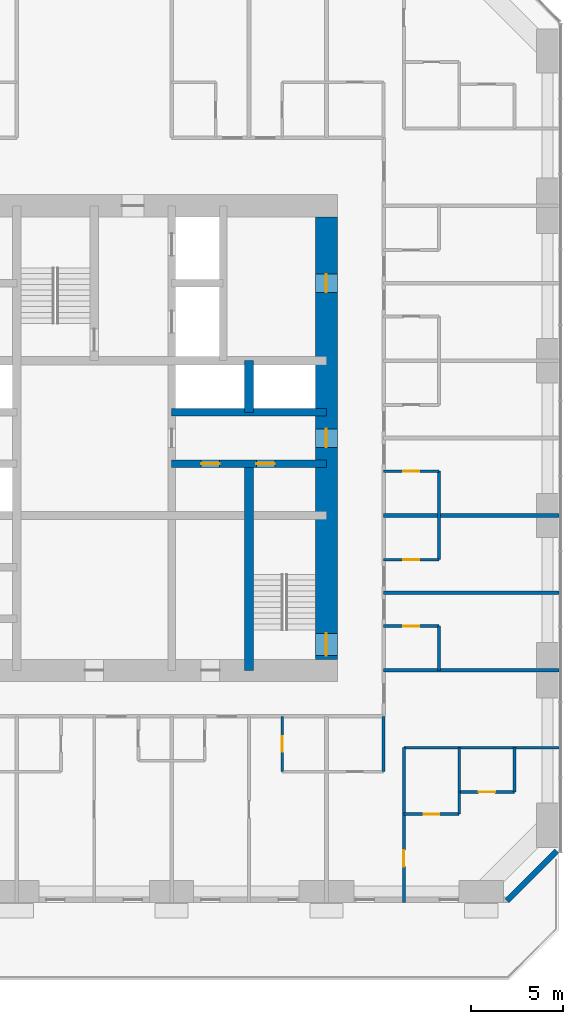
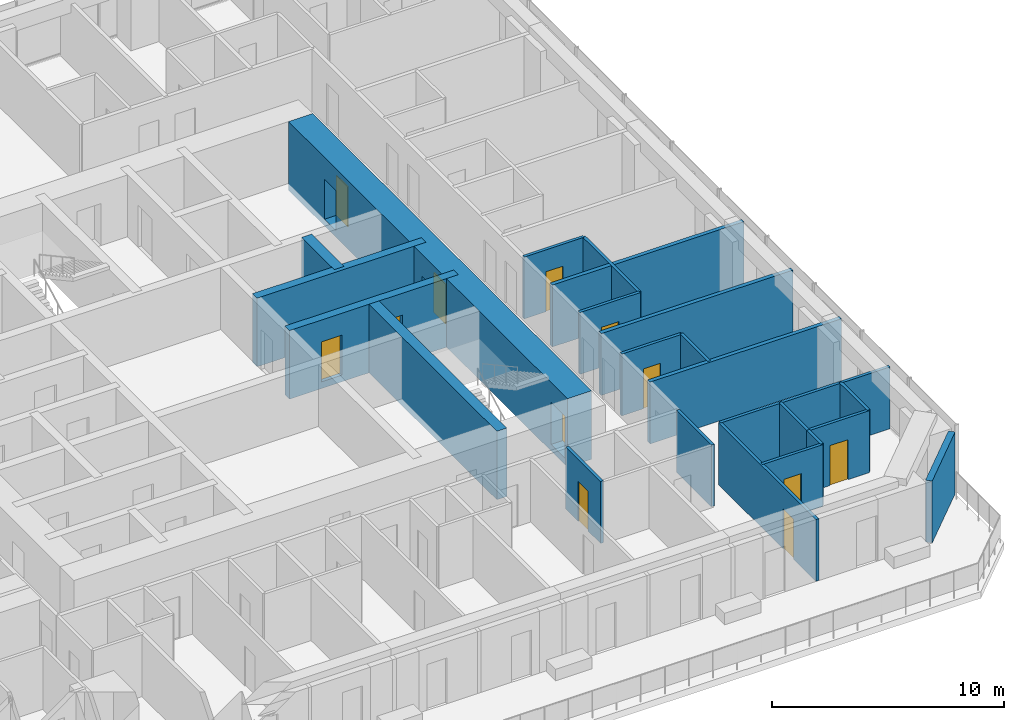
# One storey, part 9 of 14: 23 walls, 12 doors, 12 openings.
"""IFC4 building model written with IfcOpenShell, lengths in metres."""

from ifc_helpers import new_model, si_unit, direction, frame, frame_2d, origin, place, context, subcontext, project, spatial, rectangle, extrude, material, layer, layer_set, type_object, element, fill, save


model = new_model("IFC4")

# Units and contexts
model_context = context("Model", 3, precision=1e-05, world=origin(), true_north=direction((0.0, 1.0)))
body_context = subcontext(model_context, "Body", "Model", "MODEL_VIEW")
ifc_project = project(units=[si_unit("LENGTHUNIT", "METRE"), si_unit("AREAUNIT", "SQUARE_METRE"), si_unit("VOLUMEUNIT", "CUBIC_METRE"), si_unit("PLANEANGLEUNIT", "RADIAN"), si_unit("MASSUNIT", "GRAM", prefix="KILO")], contexts=[model_context])

# Site, building, storey
site_placement = place(None, origin())
site = spatial("IfcSite", under=ifc_project, at=site_placement, CompositionType="ELEMENT")
building_placement = place(site_placement, origin())
building = spatial("IfcBuilding", under=site, at=building_placement, Name="Dunama Terrace Hotel", CompositionType="ELEMENT")
storey_placement = place(building_placement, frame((0.0, 0.0, 159.0)))
storey = spatial("IfcBuildingStorey", under=building, at=storey_placement, Name="L40", CompositionType="ELEMENT", Elevation=159.0)

# Wall, opening, door
ifc_material_1 = material(Name="Gypsum board partition", Category="masonry")
ifc_layer_1 = layer(ifc_material_1, 0.14990234375)
ifc_layer_set_1 = layer_set([ifc_layer_1], Name="Bathroom partition 150")
wall_type_1 = type_object("IfcWallType", Name="Bathroom partition 150", PredefinedType="PARTITIONING", material=ifc_layer_set_1)
wall_1_placement = place(storey_placement, frame((39.60009765625, 11.300048828125, 0.0), z_axis=(0.0, 0.0, 1.0), x_axis=(0.0, 1.0, 0.0)))
wall_1 = element("IfcWall", 1, at=wall_1_placement, inside=storey, type_object=wall_type_1, Name="Bathroom partition 150 L40", PredefinedType="PARTITIONING", context=body_context, shape_type="SweptSolid", body=[
    extrude(rectangle(XDim=3.0, YDim=0.14990234375, at=frame_2d((1.5, 0.0))), origin(), (0.0, 0.0, 1.0), 3.25),
])
opening_1_placement = place(wall_1_placement, frame((1.074951171875, 0.0, 0.0)))
opening_1 = element("IfcOpeningElement", 2, at=opening_1_placement, cuts=wall_1, Name="Opening L40-040", PredefinedType="OPENING", context=body_context, shape_type="SweptSolid", body=[
    extrude(rectangle(XDim=0.85009765625, YDim=2.10009765625, at=frame_2d((0.425048828125, 1.050048828125))), frame((0.0, 0.0849609375, 0.0), z_axis=(0.0, -1.0, 0.0), x_axis=(1.0, 0.0, 0.0)), (0.0, 0.0, 1.0), 0.169921875),
])
ifc_material_2 = material(Name="Timber door with steel frame", Category="steel")
door_type_1 = type_object("IfcDoorType", Name="Bathroom door 850", OperationType="SINGLE_SWING_LEFT", PredefinedType="DOOR", material=ifc_material_2)
door_1_placement = place(opening_1_placement, frame((0.85009765625, 0.0, 0.0), z_axis=(0.0, 0.0, 1.0), x_axis=(-1.0, 0.0, 0.0)))
door_1 = element("IfcDoor", 3, at=door_1_placement, inside=storey, type_object=door_type_1, Name="Door to en-suite bathroom L40-040, type D2", OperationType="SINGLE_SWING_LEFT", OverallHeight=2.10009765625, OverallWidth=0.85009765625, PredefinedType="DOOR", context=body_context, shape_type="SweptSolid", body=[
    extrude(rectangle(XDim=0.85009765625, YDim=2.10009765625, at=frame_2d((0.425048828125, 1.050048828125))), frame((0.0, 0.025146484375, 0.0), z_axis=(0.0, -1.0, 0.0), x_axis=(1.0, 0.0, 0.0)), (0.0, 0.0, 1.0), 0.050048828125),
])
fill(opening_1, door_1)

# Walls
wall_2_placement = place(storey_placement, frame((45.10009765625, 11.300048828125, 0.0), z_axis=(0.0, 0.0, 1.0), x_axis=(0.0, 1.0, 0.0)))
element("IfcWall", 4, at=wall_2_placement, inside=storey, type_object=wall_type_1, Name="Bathroom partition 150 L40", PredefinedType="PARTITIONING", context=body_context, shape_type="SweptSolid", body=[
    extrude(rectangle(XDim=3.0, YDim=0.14990234375, at=frame_2d((1.5, 0.0))), origin(), (0.0, 0.0, 1.0), 3.25),
])
wall_3_placement = place(storey_placement, frame((48.10009765625, 16.800048828125, 0.0), z_axis=(0.0, 0.0, 1.0), x_axis=(0.0, 1.0, 0.0)))
element("IfcWall", 5, at=wall_3_placement, inside=storey, type_object=wall_type_1, Name="Bathroom partition 150 L40", PredefinedType="PARTITIONING", context=body_context, shape_type="SweptSolid", body=[
    extrude(rectangle(XDim=2.39990234375, YDim=0.14990234375, at=frame_2d((1.199951171875, 0.0))), origin(), (0.0, 0.0, 1.0), 3.25),
])
wall_4_placement = place(storey_placement, frame((48.10009765625, 22.800048828125, 0.0), z_axis=(0.0, 0.0, 1.0), x_axis=(0.0, 1.0, 0.0)))
element("IfcWall", 6, at=wall_4_placement, inside=storey, type_object=wall_type_1, Name="Bathroom partition 150 L40", PredefinedType="PARTITIONING", context=body_context, shape_type="SweptSolid", body=[
    extrude(rectangle(XDim=4.800048828125, YDim=0.14990234375, at=frame_2d((2.39990234375, 0.0))), origin(), (0.0, 0.0, 1.0), 3.25),
])
wall_5_placement = place(storey_placement, frame((49.199951171875, 9.0, 0.0), z_axis=(0.0, 0.0, 1.0), x_axis=(0.0, 1.0, 0.0)))
element("IfcWall", 7, at=wall_5_placement, inside=storey, type_object=wall_type_1, Name="Bathroom partition 150 L40", PredefinedType="PARTITIONING", context=body_context, shape_type="SweptSolid", body=[
    extrude(rectangle(XDim=1.199951171875, YDim=0.14990234375, at=frame_2d((0.60009765625, 0.0))), origin(), (0.0, 0.0, 1.0), 3.25),
])

# Wall, opening, door
wall_6_placement = place(storey_placement, frame((46.199951171875, 9.0, 0.0), z_axis=(0.0, 0.0, 1.0), x_axis=(1.0, 0.0, 0.0)))
wall_6 = element("IfcWall", 8, at=wall_6_placement, inside=storey, type_object=wall_type_1, Name="Bathroom partition 150 L40", PredefinedType="PARTITIONING", context=body_context, shape_type="SweptSolid", body=[
    extrude(rectangle(XDim=3.0, YDim=0.14990234375, at=frame_2d((1.5, 0.0))), origin(), (0.0, 0.0, 1.0), 3.25),
])
opening_2_placement = place(wall_6_placement, frame((1.074951171875, 0.0, 0.0)))
opening_2 = element("IfcOpeningElement", 9, at=opening_2_placement, cuts=wall_6, Name="Opening L40-079", PredefinedType="OPENING", context=body_context, shape_type="SweptSolid", body=[
    extrude(rectangle(XDim=0.85009765625, YDim=2.10009765625, at=frame_2d((0.425048828125, 1.050048828125))), frame((0.0, 0.0849609375, 0.0), z_axis=(0.0, -1.0, 0.0), x_axis=(1.0, 0.0, 0.0)), (0.0, 0.0, 1.0), 0.169921875),
])
door_2_placement = place(opening_2_placement, origin())
door_2 = element("IfcDoor", 10, at=door_2_placement, inside=storey, type_object=door_type_1, Name="Door to en-suite bathroom L40-079, type D2", OperationType="SINGLE_SWING_RIGHT", OverallHeight=2.10009765625, OverallWidth=0.85009765625, PredefinedType="DOOR", context=body_context, shape_type="SweptSolid", body=[
    extrude(rectangle(XDim=0.85009765625, YDim=2.10009765625, at=frame_2d((0.425048828125, 1.050048828125))), frame((0.0, 0.02490234375, 0.0), z_axis=(0.0, -1.0, 0.0), x_axis=(1.0, 0.0, 0.0)), (0.0, 0.0, 1.0), 0.050048828125),
])
fill(opening_2, door_2)

wall_7_placement = place(storey_placement, frame((45.10009765625, 19.199951171875, 0.0), z_axis=(0.0, 0.0, 1.0), x_axis=(1.0, 0.0, 0.0)))
wall_7 = element("IfcWall", 11, at=wall_7_placement, inside=storey, type_object=wall_type_1, Name="Bathroom partition 150 L40", PredefinedType="PARTITIONING", context=body_context, shape_type="SweptSolid", body=[
    extrude(rectangle(XDim=3.0, YDim=0.14990234375, at=frame_2d((1.5, 0.0))), origin(), (0.0, 0.0, 1.0), 3.25),
])
opening_3_placement = place(wall_7_placement, frame((1.074951171875, 0.0, 0.0)))
opening_3 = element("IfcOpeningElement", 12, at=opening_3_placement, cuts=wall_7, Name="Opening L40-042", PredefinedType="OPENING", context=body_context, shape_type="SweptSolid", body=[
    extrude(rectangle(XDim=0.85009765625, YDim=2.10009765625, at=frame_2d((0.425048828125, 1.050048828125))), frame((0.0, 0.0849609375, 0.0), z_axis=(0.0, -1.0, 0.0), x_axis=(1.0, 0.0, 0.0)), (0.0, 0.0, 1.0), 0.169921875),
])
door_3_placement = place(opening_3_placement, frame((0.85009765625, 0.0, 0.0), z_axis=(0.0, 0.0, 1.0), x_axis=(-1.0, 0.0, 0.0)))
door_3 = element("IfcDoor", 13, at=door_3_placement, inside=storey, type_object=door_type_1, Name="Door to en-suite bathroom L40-042, type D2", OperationType="SINGLE_SWING_RIGHT", OverallHeight=2.10009765625, OverallWidth=0.85009765625, PredefinedType="DOOR", context=body_context, shape_type="SweptSolid", body=[
    extrude(rectangle(XDim=0.85009765625, YDim=2.10009765625, at=frame_2d((0.425048828125, 1.050048828125))), frame((0.0, 0.025146484375, 0.0), z_axis=(0.0, -1.0, 0.0), x_axis=(1.0, 0.0, 0.0)), (0.0, 0.0, 1.0), 0.050048828125),
])
fill(opening_3, door_3)

wall_8_placement = place(storey_placement, frame((45.10009765625, 22.800048828125, 0.0), z_axis=(0.0, 0.0, 1.0), x_axis=(1.0, 0.0, 0.0)))
wall_8 = element("IfcWall", 14, at=wall_8_placement, inside=storey, type_object=wall_type_1, Name="Bathroom partition 150 L40", PredefinedType="PARTITIONING", context=body_context, shape_type="SweptSolid", body=[
    extrude(rectangle(XDim=3.0, YDim=0.14990234375, at=frame_2d((1.5, 0.0))), origin(), (0.0, 0.0, 1.0), 3.25),
])
opening_4_placement = place(wall_8_placement, frame((1.074951171875, 0.0, 0.0)))
opening_4 = element("IfcOpeningElement", 15, at=opening_4_placement, cuts=wall_8, Name="Opening L40-044", PredefinedType="OPENING", context=body_context, shape_type="SweptSolid", body=[
    extrude(rectangle(XDim=0.85009765625, YDim=2.10009765625, at=frame_2d((0.425048828125, 1.050048828125))), frame((0.0, 0.0849609375, 0.0), z_axis=(0.0, -1.0, 0.0), x_axis=(1.0, 0.0, 0.0)), (0.0, 0.0, 1.0), 0.169921875),
])
door_4_placement = place(opening_4_placement, origin())
door_4 = element("IfcDoor", 16, at=door_4_placement, inside=storey, type_object=door_type_1, Name="Door to en-suite bathroom L40-044, type D2", OperationType="SINGLE_SWING_LEFT", OverallHeight=2.10009765625, OverallWidth=0.85009765625, PredefinedType="DOOR", context=body_context, shape_type="SweptSolid", body=[
    extrude(rectangle(XDim=0.85009765625, YDim=2.10009765625, at=frame_2d((0.425048828125, 1.050048828125))), frame((0.0, 0.02490234375, 0.0), z_axis=(0.0, -1.0, 0.0), x_axis=(1.0, 0.0, 0.0)), (0.0, 0.0, 1.0), 0.050048828125),
])
fill(opening_4, door_4)

wall_9_placement = place(storey_placement, frame((45.10009765625, 27.60009765625, 0.0), z_axis=(0.0, 0.0, 1.0), x_axis=(1.0, 0.0, 0.0)))
wall_9 = element("IfcWall", 17, at=wall_9_placement, inside=storey, type_object=wall_type_1, Name="Bathroom partition 150 L40", PredefinedType="PARTITIONING", context=body_context, shape_type="SweptSolid", body=[
    extrude(rectangle(XDim=3.0, YDim=0.14990234375, at=frame_2d((1.5, 0.0))), origin(), (0.0, 0.0, 1.0), 3.25),
])
opening_5_placement = place(wall_9_placement, frame((1.074951171875, 0.0, 0.0)))
opening_5 = element("IfcOpeningElement", 18, at=opening_5_placement, cuts=wall_9, Name="Opening L40-046", PredefinedType="OPENING", context=body_context, shape_type="SweptSolid", body=[
    extrude(rectangle(XDim=0.85009765625, YDim=2.10009765625, at=frame_2d((0.425048828125, 1.050048828125))), frame((0.0, 0.0849609375, 0.0), z_axis=(0.0, -1.0, 0.0), x_axis=(1.0, 0.0, 0.0)), (0.0, 0.0, 1.0), 0.169921875),
])
door_5_placement = place(opening_5_placement, frame((0.85009765625, 0.0, 0.0), z_axis=(0.0, 0.0, 1.0), x_axis=(-1.0, 0.0, 0.0)))
door_5 = element("IfcDoor", 19, at=door_5_placement, inside=storey, type_object=door_type_1, Name="Door to en-suite bathroom L40-046, type D2", OperationType="SINGLE_SWING_RIGHT", OverallHeight=2.10009765625, OverallWidth=0.85009765625, PredefinedType="DOOR", context=body_context, shape_type="SweptSolid", body=[
    extrude(rectangle(XDim=0.85009765625, YDim=2.10009765625, at=frame_2d((0.425048828125, 1.050048828125))), frame((0.0, 0.025146484375, 0.0), z_axis=(0.0, -1.0, 0.0), x_axis=(1.0, 0.0, 0.0)), (0.0, 0.0, 1.0), 0.050048828125),
])
fill(opening_5, door_5)

# Wall, openings, doors
ifc_material_3 = material(Name="Concrete C50/60", Category="concrete")
ifc_layer_2 = layer(ifc_material_3, 0.39990234375)
ifc_layer_set_2 = layer_set([ifc_layer_2], Name="Core inner wall 400")
wall_type_2 = type_object("IfcWallType", Name="Core inner wall 400", PredefinedType="SHEAR", material=ifc_layer_set_2)
wall_10_placement = place(storey_placement, frame((33.60009765625, 28.0, -0.35009765625), z_axis=(0.0, 0.0, 1.0), x_axis=(1.0, 0.0, 0.0)))
wall_10 = element("IfcWall", 20, at=wall_10_placement, inside=storey, type_object=wall_type_2, Name="Core inner wall 400 L40", PredefinedType="SHEAR", context=body_context, shape_type="SweptSolid", body=[
    extrude(rectangle(XDim=8.39990234375, YDim=0.39990234375, at=frame_2d((4.199951171875, 0.0))), origin(), (0.0, 0.0, 1.0), 3.60009765625),
])
opening_6_placement = place(wall_10_placement, frame((1.60009765625, 0.0, 0.35009765625)))
opening_6 = element("IfcOpeningElement", 21, at=opening_6_placement, cuts=wall_10, Name="Opening L40-100", PredefinedType="OPENING", context=body_context, shape_type="SweptSolid", body=[
    extrude(rectangle(XDim=1.0, YDim=2.10009765625, at=frame_2d((0.5, 1.050048828125))), frame((0.0, 0.2099609375, 0.0), z_axis=(0.0, -1.0, 0.0), x_axis=(1.0, 0.0, 0.0)), (0.0, 0.0, 1.0), 0.419921875),
])
opening_7_placement = place(wall_10_placement, frame((4.60009765625, 0.0, 0.35009765625)))
opening_7 = element("IfcOpeningElement", 22, at=opening_7_placement, cuts=wall_10, Name="Opening L40-101", PredefinedType="OPENING", context=body_context, shape_type="SweptSolid", body=[
    extrude(rectangle(XDim=1.0, YDim=2.10009765625, at=frame_2d((0.5, 1.050048828125))), frame((0.0, 0.2099609375, 0.0), z_axis=(0.0, -1.0, 0.0), x_axis=(1.0, 0.0, 0.0)), (0.0, 0.0, 1.0), 0.419921875),
])
ifc_material_4 = material(Name="Timber door with steel frame", Category="steel")
door_type_2 = type_object("IfcDoorType", Name="Service door 1000", OperationType="SINGLE_SWING_LEFT", PredefinedType="DOOR", material=ifc_material_4)
door_6_placement = place(opening_6_placement, frame((1.0, 0.0, 0.0), z_axis=(0.0, 0.0, 1.0), x_axis=(-1.0, 0.0, 0.0)))
door_6 = element("IfcDoor", 23, at=door_6_placement, inside=storey, type_object=door_type_2, Name="Door to service riser L40-100, type D7", OperationType="SINGLE_SWING_LEFT", OverallHeight=2.10009765625, OverallWidth=1.0, PredefinedType="DOOR", context=body_context, shape_type="SweptSolid", body=[
    extrude(rectangle(XDim=1.0, YDim=2.10009765625, at=frame_2d((0.5, 1.050048828125))), frame((0.0, 0.025146484375, 0.0), z_axis=(0.0, -1.0, 0.0), x_axis=(1.0, 0.0, 0.0)), (0.0, 0.0, 1.0), 0.050048828125),
])
fill(opening_6, door_6)
door_7_placement = place(opening_7_placement, frame((1.0, 0.0, 0.0), z_axis=(0.0, 0.0, 1.0), x_axis=(-1.0, 0.0, 0.0)))
door_7 = element("IfcDoor", 24, at=door_7_placement, inside=storey, type_object=door_type_2, Name="Door to housekeeping store L40-101, type D7", OperationType="SINGLE_SWING_RIGHT", OverallHeight=2.10009765625, OverallWidth=1.0, PredefinedType="DOOR", context=body_context, shape_type="SweptSolid", body=[
    extrude(rectangle(XDim=1.0, YDim=2.10009765625, at=frame_2d((0.5, 1.050048828125))), frame((0.0, 0.025146484375, 0.0), z_axis=(0.0, -1.0, 0.0), x_axis=(1.0, 0.0, 0.0)), (0.0, 0.0, 1.0), 0.050048828125),
])
fill(opening_7, door_7)

# Walls
wall_11_placement = place(storey_placement, frame((33.60009765625, 30.800048828125, -0.35009765625), z_axis=(0.0, 0.0, 1.0), x_axis=(1.0, 0.0, 0.0)))
element("IfcWall", 25, at=wall_11_placement, inside=storey, type_object=wall_type_2, Name="Core inner wall 400 L40", PredefinedType="SHEAR", context=body_context, shape_type="SweptSolid", body=[
    extrude(rectangle(XDim=8.39990234375, YDim=0.39990234375, at=frame_2d((4.199951171875, 0.0))), origin(), (0.0, 0.0, 1.0), 3.60009765625),
])
ifc_material_5 = material(Name="Concrete C50/60", Category="concrete")
ifc_layer_3 = layer(ifc_material_5, 0.5)
ifc_layer_set_3 = layer_set([ifc_layer_3], Name="Core inner wall 500")
wall_type_3 = type_object("IfcWallType", Name="Core inner wall 500", PredefinedType="SHEAR", material=ifc_layer_set_3)
wall_12_placement = place(storey_placement, frame((37.800048828125, 16.800048828125, -0.35009765625), z_axis=(0.0, 0.0, 1.0), x_axis=(0.0, 1.0, 0.0)))
element("IfcWall", 26, at=wall_12_placement, inside=storey, type_object=wall_type_3, Name="Core inner wall 500 L40", PredefinedType="SHEAR", context=body_context, shape_type="SweptSolid", body=[
    extrude(rectangle(XDim=11.199951171875, YDim=0.5, at=frame_2d((5.60009765625, 0.0))), origin(), (0.0, 0.0, 1.0), 3.60009765625),
])
wall_13_placement = place(storey_placement, frame((37.800048828125, 30.800048828125, -0.35009765625), z_axis=(0.0, 0.0, 1.0), x_axis=(0.0, 1.0, 0.0)))
element("IfcWall", 27, at=wall_13_placement, inside=storey, type_object=wall_type_3, Name="Core inner wall 500 L40", PredefinedType="SHEAR", context=body_context, shape_type="SweptSolid", body=[
    extrude(rectangle(XDim=2.800048828125, YDim=0.5, at=frame_2d((1.39990234375, 0.0))), origin(), (0.0, 0.0, 1.0), 3.60009765625),
])

# Wall, openings, doors
ifc_material_6 = material(Name="Concrete C60/75", Category="concrete")
ifc_layer_4 = layer(ifc_material_6, 1.199951171875)
ifc_layer_set_4 = layer_set([ifc_layer_4], Name="Core wall 1200")
wall_type_4 = type_object("IfcWallType", Name="Core wall 1200", PredefinedType="SHEAR", material=ifc_layer_set_4)
wall_14_placement = place(storey_placement, frame((42.0, 17.39990234375, -0.35009765625), z_axis=(0.0, 0.0, 1.0), x_axis=(0.0, 1.0, 0.0)))
wall_14 = element("IfcWall", 28, at=wall_14_placement, inside=storey, type_object=wall_type_4, Name="Core wall east L40", PredefinedType="SHEAR", context=body_context, shape_type="SweptSolid", body=[
    extrude(rectangle(XDim=24.0, YDim=1.199951171875, at=frame_2d((12.0, 0.0))), origin(), (0.0, 0.0, 1.0), 3.60009765625),
])
opening_8_placement = place(wall_14_placement, frame((0.199951171875, 0.0, 0.35009765625)))
opening_8 = element("IfcOpeningElement", 29, at=opening_8_placement, cuts=wall_14, Name="Opening L40-022", PredefinedType="OPENING", context=body_context, shape_type="SweptSolid", body=[
    extrude(rectangle(XDim=1.199951171875, YDim=2.199951171875, at=frame_2d((0.60009765625, 1.10009765625))), frame((0.0, 0.60986328125, 0.0), z_axis=(0.0, -1.0, 0.0), x_axis=(1.0, 0.0, 0.0)), (0.0, 0.0, 1.0), 1.219970703125),
])
opening_9_placement = place(wall_14_placement, frame((11.5, 0.0, 0.35009765625)))
opening_9 = element("IfcOpeningElement", 30, at=opening_9_placement, cuts=wall_14, Name="Opening L40-102", PredefinedType="OPENING", context=body_context, shape_type="SweptSolid", body=[
    extrude(rectangle(XDim=1.0, YDim=2.10009765625, at=frame_2d((0.5, 1.050048828125))), frame((0.0, 0.60986328125, 0.0), z_axis=(0.0, -1.0, 0.0), x_axis=(1.0, 0.0, 0.0)), (0.0, 0.0, 1.0), 1.219970703125),
])
opening_10_placement = place(wall_14_placement, frame((19.89990234375, 0.0, 0.35009765625)))
opening_10 = element("IfcOpeningElement", 31, at=opening_10_placement, cuts=wall_14, Name="Opening L40-104", PredefinedType="OPENING", context=body_context, shape_type="SweptSolid", body=[
    extrude(rectangle(XDim=1.0, YDim=2.10009765625, at=frame_2d((0.5, 1.050048828125))), frame((0.0, 0.60986328125, 0.0), z_axis=(0.0, -1.0, 0.0), x_axis=(1.0, 0.0, 0.0)), (0.0, 0.0, 1.0), 1.219970703125),
])
door_8_placement = place(opening_9_placement, origin())
door_8 = element("IfcDoor", 32, at=door_8_placement, inside=storey, type_object=door_type_2, Name="Door to service lobby L40-102, type D7", OperationType="SINGLE_SWING_LEFT", OverallHeight=2.10009765625, OverallWidth=1.0, PredefinedType="DOOR", context=body_context, shape_type="SweptSolid", body=[
    extrude(rectangle(XDim=1.0, YDim=2.10009765625, at=frame_2d((0.5, 1.050048828125))), frame((0.0, 0.02490234375, 0.0), z_axis=(0.0, -1.0, 0.0), x_axis=(1.0, 0.0, 0.0)), (0.0, 0.0, 1.0), 0.050048828125),
])
fill(opening_9, door_8)
door_9_placement = place(opening_10_placement, origin())
door_9 = element("IfcDoor", 33, at=door_9_placement, inside=storey, type_object=door_type_2, Name="Door to guest pantry L40-104, type D7", OperationType="SINGLE_SWING_LEFT", OverallHeight=2.10009765625, OverallWidth=1.0, PredefinedType="DOOR", context=body_context, shape_type="SweptSolid", body=[
    extrude(rectangle(XDim=1.0, YDim=2.10009765625, at=frame_2d((0.5, 1.050048828125))), frame((0.0, 0.02490234375, 0.0), z_axis=(0.0, -1.0, 0.0), x_axis=(1.0, 0.0, 0.0)), (0.0, 0.0, 1.0), 0.050048828125),
])
fill(opening_10, door_9)
ifc_material_7 = material(Name="Timber door with steel frame", Category="steel")
door_type_3 = type_object("IfcDoorType", Name="Stair door 1200", OperationType="SINGLE_SWING_LEFT", PredefinedType="DOOR", material=ifc_material_7)
door_10_placement = place(opening_8_placement, origin())
door_10 = element("IfcDoor", 34, at=door_10_placement, inside=storey, type_object=door_type_3, Name="Stair door ST2 L40-022, type D5", OperationType="SINGLE_SWING_LEFT", OverallHeight=2.199951171875, OverallWidth=1.199951171875, PredefinedType="DOOR", context=body_context, shape_type="SweptSolid", body=[
    extrude(rectangle(XDim=1.199951171875, YDim=2.199951171875, at=frame_2d((0.60009765625, 1.10009765625))), frame((0.0, 0.02490234375, 0.0), z_axis=(0.0, -1.0, 0.0), x_axis=(1.0, 0.0, 0.0)), (0.0, 0.0, 1.0), 0.050048828125),
])
fill(opening_8, door_10)

# Walls
ifc_material_8 = material(Name="Concrete blockwork", Category="masonry")
ifc_layer_5 = layer(ifc_material_8, 0.199951171875)
ifc_layer_set_5 = layer_set([ifc_layer_5], Name="Party wall 200")
wall_type_5 = type_object("IfcWallType", Name="Party wall 200", PredefinedType="PARTITIONING", material=ifc_layer_set_5)
for number, where, z_axis, x_axis, name in (
    (35, (45.10009765625, 16.800048828125, 0.0), (0.0, 0.0, 1.0), (1.0, 0.0, 0.0), "Party wall 200 L40"),
    (36, (45.10009765625, 21.0, 0.0), (0.0, 0.0, 1.0), (1.0, 0.0, 0.0), "Party wall 200 L40"),
    (37, (45.10009765625, 25.199951171875, 0.0), (0.0, 0.0, 1.0), (1.0, 0.0, 0.0), "Party wall 200 L40"),
):
    element("IfcWall", number, at=place(storey_placement, frame(where, z_axis=z_axis, x_axis=x_axis)), inside=storey, type_object=wall_type_5, Name=name, PredefinedType="PARTITIONING", context=body_context, shape_type="SweptSolid", body=[
        extrude(rectangle(XDim=9.517822265625, YDim=0.199951171875, at=frame_2d((4.7587890625, 0.0))), origin(), (0.0, 0.0, 1.0), 3.25),
    ])

# Wall, opening, door
ifc_material_9 = material(Name="Gypsum board partition", Category="masonry")
ifc_layer_6 = layer(ifc_material_9, 0.14990234375)
ifc_layer_set_6 = layer_set([ifc_layer_6], Name="Room partition 150")
wall_type_6 = type_object("IfcWallType", Name="Room partition 150", PredefinedType="PARTITIONING", material=ifc_layer_set_6)
wall_15_placement = place(storey_placement, frame((46.199951171875, 4.199951171875, 0.0), z_axis=(0.0, 0.0, 1.0), x_axis=(0.0, 1.0, 0.0)))
wall_15 = element("IfcWall", 38, at=wall_15_placement, inside=storey, type_object=wall_type_6, Name="Room partition 150 L40", PredefinedType="PARTITIONING", context=body_context, shape_type="SweptSolid", body=[
    extrude(rectangle(XDim=8.400146484375, YDim=0.14990234375, at=frame_2d((4.2001953125, 0.0))), origin(), (0.0, 0.0, 1.0), 3.25),
])
opening_11_placement = place(wall_15_placement, frame((1.949951171875, 0.0, 0.0)))
opening_11 = element("IfcOpeningElement", 39, at=opening_11_placement, cuts=wall_15, Name="Opening L40-078", PredefinedType="OPENING", context=body_context, shape_type="SweptSolid", body=[
    extrude(rectangle(XDim=0.89990234375, YDim=2.10009765625, at=frame_2d((0.449951171875, 1.050048828125))), frame((0.0, 0.0849609375, 0.0), z_axis=(0.0, -1.0, 0.0), x_axis=(1.0, 0.0, 0.0)), (0.0, 0.0, 1.0), 0.169921875),
])
ifc_material_10 = material(Name="Timber door with steel frame", Category="steel")
door_type_4 = type_object("IfcDoorType", Name="Suite internal door 900", OperationType="SINGLE_SWING_LEFT", PredefinedType="DOOR", material=ifc_material_10)
door_11_placement = place(opening_11_placement, frame((0.89990234375, 0.0, 0.0), z_axis=(0.0, 0.0, 1.0), x_axis=(-1.0, 0.0, 0.0)))
door_11 = element("IfcDoor", 40, at=door_11_placement, inside=storey, type_object=door_type_4, Name="Door to corner suite bedroom L40-078, type D16", OperationType="SINGLE_SWING_RIGHT", OverallHeight=2.10009765625, OverallWidth=0.89990234375, PredefinedType="DOOR", context=body_context, shape_type="SweptSolid", body=[
    extrude(rectangle(XDim=0.89990234375, YDim=2.10009765625, at=frame_2d((0.449951171875, 1.050048828125))), frame((0.0, 0.025146484375, 0.0), z_axis=(0.0, -1.0, 0.0), x_axis=(1.0, 0.0, 0.0)), (0.0, 0.0, 1.0), 0.050048828125),
])
fill(opening_11, door_11)

# Walls
for number, where, z_axis, x_axis, name in (
    (41, (49.199951171875, 10.199951171875, 0.0), (0.0, 0.0, 1.0), (0.0, 1.0, 0.0), "Room partition 150 L40"),
    (42, (52.199951171875, 10.199951171875, 0.0), (0.0, 0.0, 1.0), (0.0, 1.0, 0.0), "Room partition 150 L40"),
):
    element("IfcWall", number, at=place(storey_placement, frame(where, z_axis=z_axis, x_axis=x_axis)), inside=storey, type_object=wall_type_6, Name=name, PredefinedType="PARTITIONING", context=body_context, shape_type="SweptSolid", body=[
        extrude(rectangle(XDim=2.400146484375, YDim=0.14990234375, at=frame_2d((1.2001953125, 0.0))), origin(), (0.0, 0.0, 1.0), 3.25),
    ])

# Wall, opening, door
wall_16_placement = place(storey_placement, frame((49.199951171875, 10.199951171875, 0.0), z_axis=(0.0, 0.0, 1.0), x_axis=(1.0, 0.0, 0.0)))
wall_16 = element("IfcWall", 43, at=wall_16_placement, inside=storey, type_object=wall_type_6, Name="Room partition 150 L40", PredefinedType="PARTITIONING", context=body_context, shape_type="SweptSolid", body=[
    extrude(rectangle(XDim=3.0, YDim=0.14990234375, at=frame_2d((1.5, 0.0))), origin(), (0.0, 0.0, 1.0), 3.25),
])
opening_12_placement = place(wall_16_placement, frame((1.050048828125, 0.0, 0.0)))
opening_12 = element("IfcOpeningElement", 44, at=opening_12_placement, cuts=wall_16, Name="Opening L40-080", PredefinedType="OPENING", context=body_context, shape_type="SweptSolid", body=[
    extrude(rectangle(XDim=0.89990234375, YDim=2.10009765625, at=frame_2d((0.449951171875, 1.050048828125))), frame((0.0, 0.0849609375, 0.0), z_axis=(0.0, -1.0, 0.0), x_axis=(1.0, 0.0, 0.0)), (0.0, 0.0, 1.0), 0.169921875),
])
door_12_placement = place(opening_12_placement, origin())
door_12 = element("IfcDoor", 45, at=door_12_placement, inside=storey, type_object=door_type_4, Name="Door to dressing room L40-080, type D16", OperationType="SINGLE_SWING_LEFT", OverallHeight=2.10009765625, OverallWidth=0.89990234375, PredefinedType="DOOR", context=body_context, shape_type="SweptSolid", body=[
    extrude(rectangle(XDim=0.89990234375, YDim=2.10009765625, at=frame_2d((0.449951171875, 1.050048828125))), frame((0.0, 0.02490234375, 0.0), z_axis=(0.0, -1.0, 0.0), x_axis=(1.0, 0.0, 0.0)), (0.0, 0.0, 1.0), 0.050048828125),
])
fill(opening_12, door_12)

# Walls
wall_17_placement = place(storey_placement, frame((46.199951171875, 12.60009765625, 0.0), z_axis=(0.0, 0.0, 1.0), x_axis=(1.0, 0.0, 0.0)))
element("IfcWall", 46, at=wall_17_placement, inside=storey, type_object=wall_type_6, Name="Room partition 150 L40", PredefinedType="PARTITIONING", context=body_context, shape_type="SweptSolid", body=[
    extrude(rectangle(XDim=8.41796875, YDim=0.14990234375, at=frame_2d((4.208984375, 0.0))), origin(), (0.0, 0.0, 1.0), 3.25),
])
ifc_material_11 = material(Name="Granite-faced concrete blockwork", Category="masonry")
ifc_layer_7 = layer(ifc_material_11, 0.300048828125)
ifc_layer_set_7 = layer_set([ifc_layer_7], Name="Terrace wall 300")
wall_type_7 = type_object("IfcWallType", Name="Terrace wall 300", PredefinedType="SOLIDWALL", material=ifc_layer_set_7)
wall_18_placement = place(storey_placement, frame((51.7939453125, 4.305908203125, 0.0), z_axis=(0.0, 0.0, 1.0), x_axis=(0.707074812166, 0.707138748762, 0.0)))
element("IfcWall", 47, at=wall_18_placement, inside=storey, type_object=wall_type_7, Name="Terrace wall 300 L40", PredefinedType="SOLIDWALL", context=body_context, shape_type="SweptSolid", body=[
    extrude(rectangle(XDim=3.818359375, YDim=0.300048828125, at=frame_2d((1.9091796875, 0.0))), origin(), (0.0, 0.0, 1.0), 3.25),
])

save(model, "model.ifc")
